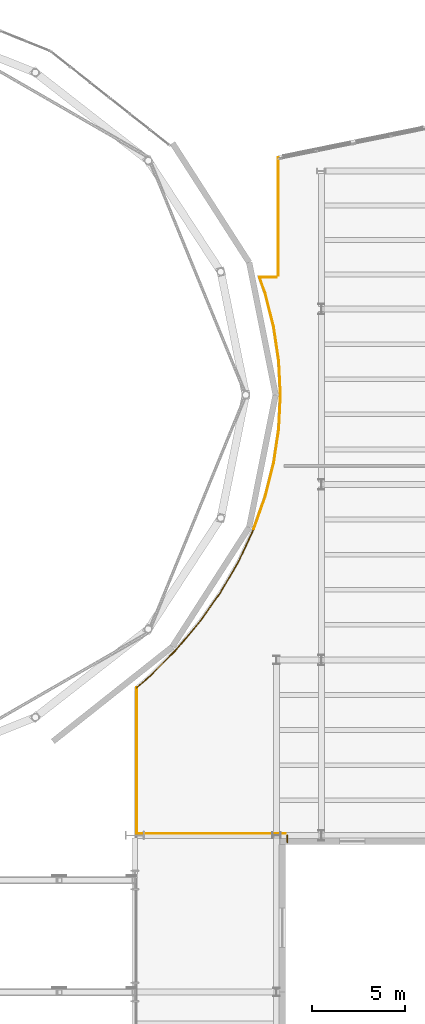
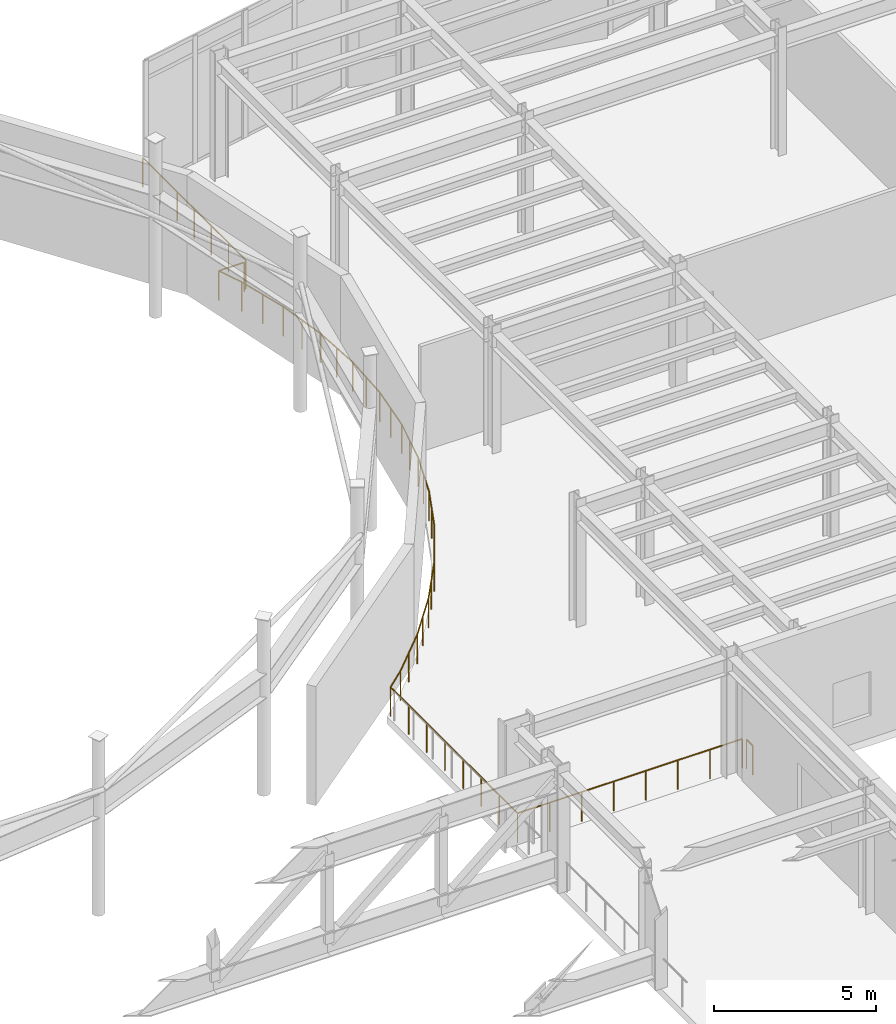
# One storey, part 89 of 91: 19 railings.
"""IFC4 building model written with IfcOpenShell, lengths in metres."""

from ifc_helpers import new_model, si_unit, direction, frame, origin, origin_2d, place, context, subcontext, project, spatial, circle, extrude, material, type_object, element, save


model = new_model("IFC4")

# Units and contexts
model_context = context("Model", 3, precision=1e-05, world=origin(), true_north=direction((0.0, 1.0)))
body_context = subcontext(model_context, "Body", "Model", "MODEL_VIEW")
ifc_project = project(units=[si_unit("LENGTHUNIT", "METRE"), si_unit("AREAUNIT", "SQUARE_METRE"), si_unit("VOLUMEUNIT", "CUBIC_METRE"), si_unit("PLANEANGLEUNIT", "RADIAN"), si_unit("MASSUNIT", "GRAM", prefix="KILO")], contexts=[model_context])

# Site, building, storey
site_placement = place(None, origin())
site = spatial("IfcSite", under=ifc_project, at=site_placement, CompositionType="ELEMENT")
building_placement = place(site_placement, origin())
building = spatial("IfcBuilding", under=site, at=building_placement, Name="Sollismere Congress Hotel", CompositionType="ELEMENT")
storey_placement = place(building_placement, frame((0.0, 0.0, 10.800048828125)))
storey = spatial("IfcBuildingStorey", under=building, at=storey_placement, Name="L02", CompositionType="ELEMENT", Elevation=10.800048828125)

# Railings
ifc_material = material(Name="Steel ASTM A500 Grade C", Category="steel")
railing_type = type_object("IfcRailingType", Name="RL-GRD112", PredefinedType="GUARDRAIL", material=ifc_material)
railing_1_placement = place(storey_placement, frame((58.580078125, 66.419921875, 0.0)))
element("IfcRailing", 1, at=railing_1_placement, inside=storey, type_object=railing_type, Name="RLG-GDA-L02-061", PredefinedType="GUARDRAIL", context=body_context, shape_type="SweptSolid", body=[
    extrude(circle(Radius=0.02392578125, at=origin_2d()), frame((0.0, 0.0, 1.09619140625), z_axis=(0.0, 1.0, 0.0), x_axis=(-1.0, 0.0, 0.0)), (0.0, 0.0, 1.0), 0.380126953125),
    extrude(circle(Radius=0.02099609375, at=origin_2d()), origin(), (0.0, 0.0, 1.0), 1.072021484375),
    extrude(circle(Radius=0.02099609375, at=origin_2d()), frame((0.0, 0.380126953125, 0.0)), (0.0, 0.0, 1.0), 1.072021484375),
])
railing_2_placement = place(storey_placement, frame((58.47998046875, 66.89990234375, 0.0)))
element("IfcRailing", 2, at=railing_2_placement, inside=storey, type_object=railing_type, Name="RLG-GDA-L02-062", PredefinedType="GUARDRAIL", context=body_context, shape_type="SweptSolid", body=[
    extrude(circle(Radius=0.02392578125, at=origin_2d()), frame((0.0, 0.0, 1.09619140625), z_axis=(-1.0, 0.0, 0.0), x_axis=(0.0, -1.0, 0.0)), (0.0, 0.0, 1.0), 7.97998046875),
    extrude(circle(Radius=0.02099609375, at=origin_2d()), origin(), (0.0, 0.0, 1.0), 1.072021484375),
    extrude(circle(Radius=0.02099609375, at=origin_2d()), frame((-1.139892578125, 0.0, 0.0)), (0.0, 0.0, 1.0), 1.072021484375),
    extrude(circle(Radius=0.02099609375, at=origin_2d()), frame((-2.280029296875, 0.0, 0.0)), (0.0, 0.0, 1.0), 1.072021484375),
    extrude(circle(Radius=0.02099609375, at=origin_2d()), frame((-3.419921875, 0.0, 0.0)), (0.0, 0.0, 1.0), 1.072021484375),
    extrude(circle(Radius=0.02099609375, at=origin_2d()), frame((-4.56005859375, 0.0, 0.0)), (0.0, 0.0, 1.0), 1.072021484375),
    extrude(circle(Radius=0.02099609375, at=origin_2d()), frame((-5.699951171875, 0.0, 0.0)), (0.0, 0.0, 1.0), 1.072021484375),
    extrude(circle(Radius=0.02099609375, at=origin_2d()), frame((-6.840087890625, 0.0, 0.0)), (0.0, 0.0, 1.0), 1.072021484375),
    extrude(circle(Radius=0.02099609375, at=origin_2d()), frame((-7.97998046875, 0.0, 0.0)), (0.0, 0.0, 1.0), 1.072021484375),
])
railing_3_placement = place(storey_placement, frame((50.5, 66.89990234375, 0.0)))
element("IfcRailing", 3, at=railing_3_placement, inside=storey, type_object=railing_type, Name="RLG-GDA-L02-063", PredefinedType="GUARDRAIL", context=body_context, shape_type="SweptSolid", body=[
    extrude(circle(Radius=0.02392578125, at=origin_2d()), frame((0.0, 0.0, 1.09619140625), z_axis=(0.0, 1.0, 0.0), x_axis=(-1.0, 0.0, 0.0)), (0.0, 0.0, 1.0), 7.813720703125),
    extrude(circle(Radius=0.02099609375, at=origin_2d()), origin(), (0.0, 0.0, 1.0), 1.072021484375),
    extrude(circle(Radius=0.02099609375, at=origin_2d()), frame((0.0, 1.1162109375, 0.0)), (0.0, 0.0, 1.0), 1.072021484375),
    extrude(circle(Radius=0.02099609375, at=origin_2d()), frame((0.0, 2.232421875, 0.0)), (0.0, 0.0, 1.0), 1.072021484375),
    extrude(circle(Radius=0.02099609375, at=origin_2d()), frame((0.0, 3.3486328125, 0.0)), (0.0, 0.0, 1.0), 1.072021484375),
    extrude(circle(Radius=0.02099609375, at=origin_2d()), frame((0.0, 4.465087890625, 0.0)), (0.0, 0.0, 1.0), 1.072021484375),
    extrude(circle(Radius=0.02099609375, at=origin_2d()), frame((0.0, 5.581298828125, 0.0)), (0.0, 0.0, 1.0), 1.072021484375),
    extrude(circle(Radius=0.02099609375, at=origin_2d()), frame((0.0, 6.697509765625, 0.0)), (0.0, 0.0, 1.0), 1.072021484375),
    extrude(circle(Radius=0.02099609375, at=origin_2d()), frame((0.0, 7.813720703125, 0.0)), (0.0, 0.0, 1.0), 1.072021484375),
])
railing_4_placement = place(storey_placement, frame((50.5, 74.713623046875, 0.0)))
element("IfcRailing", 4, at=railing_4_placement, inside=storey, type_object=railing_type, Name="RLG-GDA-L02-064", PredefinedType="GUARDRAIL", context=body_context, shape_type="SweptSolid", body=[
    extrude(circle(Radius=0.02392578125, at=origin_2d()), frame((0.0, 0.0, 1.09619140625), z_axis=(0.758564658066, 0.651597774346, 0.0), x_axis=(-0.651597774346, 0.758564658066, 0.0)), (0.0, 0.0, 1.0), 0.922119140625),
    extrude(circle(Radius=0.02099609375, at=origin_2d()), origin(), (0.0, 0.0, 1.0), 1.072021484375),
    extrude(circle(Radius=0.02099609375, at=origin_2d()), frame((0.699462890625, 0.600830078125, 0.0)), (0.0, 0.0, 1.0), 1.072021484375),
])
railing_5_placement = place(storey_placement, frame((51.205810546875, 75.3203125, 0.0)))
element("IfcRailing", 5, at=railing_5_placement, inside=storey, type_object=railing_type, Name="RLG-GDA-L02-065", PredefinedType="GUARDRAIL", context=body_context, shape_type="SweptSolid", body=[
    extrude(circle(Radius=0.02392578125, at=origin_2d()), frame((0.0, 0.0, 1.09619140625), z_axis=(0.704670184005, 0.709535010957, 0.0), x_axis=(-0.709535010957, 0.704670184005, 0.0)), (0.0, 0.0, 1.0), 2.00732421875),
    extrude(circle(Radius=0.02099609375, at=origin_2d()), origin(), (0.0, 0.0, 1.0), 1.072021484375),
    extrude(circle(Radius=0.02099609375, at=origin_2d()), frame((0.707275390625, 0.712158203125, 0.0)), (0.0, 0.0, 1.0), 1.072021484375),
    extrude(circle(Radius=0.02099609375, at=origin_2d()), frame((1.41455078125, 1.42431640625, 0.0)), (0.0, 0.0, 1.0), 1.072021484375),
])
railing_6_placement = place(storey_placement, frame((52.626708984375, 76.75146484375, 0.0)))
element("IfcRailing", 6, at=railing_6_placement, inside=storey, type_object=railing_type, Name="RLG-GDA-L02-066", PredefinedType="GUARDRAIL", context=body_context, shape_type="SweptSolid", body=[
    extrude(circle(Radius=0.02392578125, at=origin_2d()), frame((0.0, 0.0, 1.09619140625), z_axis=(0.643941204618, 0.765074979982, 0.0), x_axis=(-0.765074979982, 0.643941204618, 0.0)), (0.0, 0.0, 1.0), 1.97119140625),
    extrude(circle(Radius=0.02099609375, at=origin_2d()), origin(), (0.0, 0.0, 1.0), 1.072021484375),
    extrude(circle(Radius=0.02099609375, at=origin_2d()), frame((0.634765625, 0.75390625, 0.0)), (0.0, 0.0, 1.0), 1.072021484375),
    extrude(circle(Radius=0.02099609375, at=origin_2d()), frame((1.269287109375, 1.508056640625, 0.0)), (0.0, 0.0, 1.0), 1.072021484375),
])
railing_7_placement = place(storey_placement, frame((53.901611328125, 78.266845703125, 0.0)))
element("IfcRailing", 7, at=railing_7_placement, inside=storey, type_object=railing_type, Name="RLG-GDA-L02-067", PredefinedType="GUARDRAIL", context=body_context, shape_type="SweptSolid", body=[
    extrude(circle(Radius=0.02392578125, at=origin_2d()), frame((0.0, 0.0, 1.09619140625), z_axis=(0.576554520063, 0.817058679285, 0.0), x_axis=(-0.817058679285, 0.576554520063, 0.0)), (0.0, 0.0, 1.0), 1.936767578125),
    extrude(circle(Radius=0.02099609375, at=origin_2d()), origin(), (0.0, 0.0, 1.0), 1.072021484375),
    extrude(circle(Radius=0.02099609375, at=origin_2d()), frame((0.558349609375, 0.791259765625, 0.0)), (0.0, 0.0, 1.0), 1.072021484375),
    extrude(circle(Radius=0.02099609375, at=origin_2d()), frame((1.11669921875, 1.58251953125, 0.0)), (0.0, 0.0, 1.0), 1.072021484375),
])
railing_8_placement = place(storey_placement, frame((55.0234375, 79.857666015625, 0.0)))
element("IfcRailing", 8, at=railing_8_placement, inside=storey, type_object=railing_type, Name="RLG-GDA-L02-068", PredefinedType="GUARDRAIL", context=body_context, shape_type="SweptSolid", body=[
    extrude(circle(Radius=0.02392578125, at=origin_2d()), frame((0.0, 0.0, 1.09619140625), z_axis=(0.502172621581, 0.864767401175, 0.0), x_axis=(-0.864767401175, 0.502172621581, 0.0)), (0.0, 0.0, 1.0), 1.90478515625),
    extrude(circle(Radius=0.02099609375, at=origin_2d()), origin(), (0.0, 0.0, 1.0), 1.072021484375),
    extrude(circle(Radius=0.02099609375, at=origin_2d()), frame((0.478271484375, 0.82373046875, 0.0)), (0.0, 0.0, 1.0), 1.072021484375),
    extrude(circle(Radius=0.02099609375, at=origin_2d()), frame((0.95654296875, 1.647216796875, 0.0)), (0.0, 0.0, 1.0), 1.072021484375),
])
railing_9_placement = place(storey_placement, frame((55.984619140625, 81.513671875, 0.0)))
element("IfcRailing", 9, at=railing_9_placement, inside=storey, type_object=railing_type, Name="RLG-GDA-L02-069", PredefinedType="GUARDRAIL", context=body_context, shape_type="SweptSolid", body=[
    extrude(circle(Radius=0.02392578125, at=origin_2d()), frame((0.0, 0.0, 1.09619140625), z_axis=(0.421424745592, 0.906863376591, 0.0), x_axis=(-0.906863376591, 0.421424745592, 0.0)), (0.0, 0.0, 1.0), 1.87646484375),
    extrude(circle(Radius=0.02099609375, at=origin_2d()), origin(), (0.0, 0.0, 1.0), 1.072021484375),
    extrude(circle(Radius=0.02099609375, at=origin_2d()), frame((0.3955078125, 0.850830078125, 0.0)), (0.0, 0.0, 1.0), 1.072021484375),
    extrude(circle(Radius=0.02099609375, at=origin_2d()), frame((0.790771484375, 1.70166015625, 0.0)), (0.0, 0.0, 1.0), 1.072021484375),
])
railing_10_placement = place(storey_placement, frame((56.779296875, 83.224853515625, 0.0)))
element("IfcRailing", 10, at=railing_10_placement, inside=storey, type_object=railing_type, Name="RLG-GDA-L02-070", PredefinedType="GUARDRAIL", context=body_context, shape_type="SweptSolid", body=[
    extrude(circle(Radius=0.02392578125, at=origin_2d()), frame((0.0, 0.0, 1.09619140625), z_axis=(0.334825092164, 0.942280296758, 0.0), x_axis=(-0.942280296758, 0.334825092164, 0.0)), (0.0, 0.0, 1.0), 1.852783203125),
    extrude(circle(Radius=0.02099609375, at=origin_2d()), origin(), (0.0, 0.0, 1.0), 1.072021484375),
    extrude(circle(Radius=0.02099609375, at=origin_2d()), frame((0.31005859375, 0.873046875, 0.0)), (0.0, 0.0, 1.0), 1.072021484375),
    extrude(circle(Radius=0.02099609375, at=origin_2d()), frame((0.620361328125, 1.745849609375, 0.0)), (0.0, 0.0, 1.0), 1.072021484375),
])
railing_11_placement = place(storey_placement, frame((57.402587890625, 84.980712890625, 0.0)))
element("IfcRailing", 11, at=railing_11_placement, inside=storey, type_object=railing_type, Name="RLG-GDA-L02-071", PredefinedType="GUARDRAIL", context=body_context, shape_type="SweptSolid", body=[
    extrude(circle(Radius=0.02392578125, at=origin_2d()), frame((0.0, 0.0, 1.09619140625), z_axis=(0.243068048635, 0.970009238994, 0.0), x_axis=(-0.970009238994, 0.243068048635, 0.0)), (0.0, 0.0, 1.0), 1.833984375),
    extrude(circle(Radius=0.02099609375, at=origin_2d()), origin(), (0.0, 0.0, 1.0), 1.072021484375),
    extrude(circle(Radius=0.02099609375, at=origin_2d()), frame((0.222900390625, 0.8896484375, 0.0)), (0.0, 0.0, 1.0), 1.072021484375),
    extrude(circle(Radius=0.02099609375, at=origin_2d()), frame((0.44580078125, 1.779052734375, 0.0)), (0.0, 0.0, 1.0), 1.072021484375),
])
railing_12_placement = place(storey_placement, frame((57.8505859375, 86.770263671875, 0.0)))
element("IfcRailing", 12, at=railing_12_placement, inside=storey, type_object=railing_type, Name="RLG-GDA-L02-072", PredefinedType="GUARDRAIL", context=body_context, shape_type="SweptSolid", body=[
    extrude(circle(Radius=0.02392578125, at=origin_2d()), frame((0.0, 0.0, 1.09619140625), z_axis=(0.147481535855, 0.989064809091, 0.0), x_axis=(-0.989064809091, 0.147481535855, 0.0)), (0.0, 0.0, 1.0), 1.821044921875),
    extrude(circle(Radius=0.02099609375, at=origin_2d()), origin(), (0.0, 0.0, 1.0), 1.072021484375),
    extrude(circle(Radius=0.02099609375, at=origin_2d()), frame((0.13427734375, 0.900390625, 0.0)), (0.0, 0.0, 1.0), 1.072021484375),
    extrude(circle(Radius=0.02099609375, at=origin_2d()), frame((0.2685546875, 1.801025390625, 0.0)), (0.0, 0.0, 1.0), 1.072021484375),
])
railing_13_placement = place(storey_placement, frame((58.1201171875, 88.582275390625, 0.0)))
element("IfcRailing", 13, at=railing_13_placement, inside=storey, type_object=railing_type, Name="RLG-GDA-L02-073", PredefinedType="GUARDRAIL", context=body_context, shape_type="SweptSolid", body=[
    extrude(circle(Radius=0.02392578125, at=origin_2d()), frame((0.0, 0.0, 1.09619140625), z_axis=(0.04951483321, 0.998773388358, 0.0), x_axis=(-0.998773388358, 0.04951483321, 0.0)), (0.0, 0.0, 1.0), 1.814453125),
    extrude(circle(Radius=0.02099609375, at=origin_2d()), origin(), (0.0, 0.0, 1.0), 1.072021484375),
    extrude(circle(Radius=0.02099609375, at=origin_2d()), frame((0.044921875, 0.90625, 0.0)), (0.0, 0.0, 1.0), 1.072021484375),
    extrude(circle(Radius=0.02099609375, at=origin_2d()), frame((0.08984375, 1.812255859375, 0.0)), (0.0, 0.0, 1.0), 1.072021484375),
])
railing_14_placement = place(storey_placement, frame((58.2099609375, 90.405517578125, 0.0)))
element("IfcRailing", 14, at=railing_14_placement, inside=storey, type_object=railing_type, Name="RLG-GDA-L02-074", PredefinedType="GUARDRAIL", context=body_context, shape_type="SweptSolid", body=[
    extrude(circle(Radius=0.02392578125, at=origin_2d()), frame((0.0, 0.0, 1.09619140625), z_axis=(-0.04951483321, 0.998773388358, 0.0), x_axis=(-0.998773388358, -0.04951483321, 0.0)), (0.0, 0.0, 1.0), 1.814453125),
    extrude(circle(Radius=0.02099609375, at=origin_2d()), origin(), (0.0, 0.0, 1.0), 1.072021484375),
    extrude(circle(Radius=0.02099609375, at=origin_2d()), frame((-0.044921875, 0.90625, 0.0)), (0.0, 0.0, 1.0), 1.072021484375),
    extrude(circle(Radius=0.02099609375, at=origin_2d()), frame((-0.08984375, 1.812255859375, 0.0)), (0.0, 0.0, 1.0), 1.072021484375),
])
railing_15_placement = place(storey_placement, frame((58.119140625, 92.228515625, 0.0)))
element("IfcRailing", 15, at=railing_15_placement, inside=storey, type_object=railing_type, Name="RLG-GDA-L02-075", PredefinedType="GUARDRAIL", context=body_context, shape_type="SweptSolid", body=[
    extrude(circle(Radius=0.02392578125, at=origin_2d()), frame((0.0, 0.0, 1.09619140625), z_axis=(-0.147461981188, 0.989067724731, 0.0), x_axis=(-0.989067724731, -0.147461981188, 0.0)), (0.0, 0.0, 1.0), 1.8212890625),
    extrude(circle(Radius=0.02099609375, at=origin_2d()), origin(), (0.0, 0.0, 1.0), 1.072021484375),
    extrude(circle(Radius=0.02099609375, at=origin_2d()), frame((-0.13427734375, 0.900634765625, 0.0)), (0.0, 0.0, 1.0), 1.072021484375),
    extrude(circle(Radius=0.02099609375, at=origin_2d()), frame((-0.2685546875, 1.80126953125, 0.0)), (0.0, 0.0, 1.0), 1.072021484375),
])
railing_16_placement = place(storey_placement, frame((57.848388671875, 94.040283203125, 0.0)))
element("IfcRailing", 16, at=railing_16_placement, inside=storey, type_object=railing_type, Name="RLG-GDA-L02-076", PredefinedType="GUARDRAIL", context=body_context, shape_type="SweptSolid", body=[
    extrude(circle(Radius=0.02392578125, at=origin_2d()), frame((0.0, 0.0, 1.09619140625), z_axis=(-0.243068048635, 0.970009238994, 0.0), x_axis=(-0.970009238994, -0.243068048635, 0.0)), (0.0, 0.0, 1.0), 1.833984375),
    extrude(circle(Radius=0.02099609375, at=origin_2d()), origin(), (0.0, 0.0, 1.0), 1.072021484375),
    extrude(circle(Radius=0.02099609375, at=origin_2d()), frame((-0.222900390625, 0.8896484375, 0.0)), (0.0, 0.0, 1.0), 1.072021484375),
    extrude(circle(Radius=0.02099609375, at=origin_2d()), frame((-0.44580078125, 1.779052734375, 0.0)), (0.0, 0.0, 1.0), 1.072021484375),
])
railing_17_placement = place(storey_placement, frame((57.399658203125, 95.829345703125, 0.0)))
element("IfcRailing", 17, at=railing_17_placement, inside=storey, type_object=railing_type, Name="RLG-GDA-L02-077", PredefinedType="GUARDRAIL", context=body_context, shape_type="SweptSolid", body=[
    extrude(circle(Radius=0.02392578125, at=origin_2d()), frame((0.0, 0.0, 1.09619140625), z_axis=(-0.334795924534, 0.942290660527, 0.0), x_axis=(-0.942290660527, -0.334795924534, 0.0)), (0.0, 0.0, 1.0), 0.923828125),
    extrude(circle(Radius=0.02099609375, at=origin_2d()), origin(), (0.0, 0.0, 1.0), 1.072021484375),
    extrude(circle(Radius=0.02099609375, at=origin_2d()), frame((-0.309326171875, 0.87060546875, 0.0)), (0.0, 0.0, 1.0), 1.072021484375),
])
railing_18_placement = place(storey_placement, frame((57.09033203125, 96.699951171875, 0.0)))
element("IfcRailing", 18, at=railing_18_placement, inside=storey, type_object=railing_type, Name="RLG-GDA-L02-078", PredefinedType="GUARDRAIL", context=body_context, shape_type="SweptSolid", body=[
    extrude(circle(Radius=0.02392578125, at=origin_2d()), frame((0.0, 0.0, 1.09619140625), z_axis=(1.0, 0.0, 0.0), x_axis=(0.0, 1.0, 0.0)), (0.0, 0.0, 1.0), 0.90966796875),
    extrude(circle(Radius=0.02099609375, at=origin_2d()), origin(), (0.0, 0.0, 1.0), 1.072021484375),
    extrude(circle(Radius=0.02099609375, at=origin_2d()), frame((0.90966796875, 0.0, 0.0)), (0.0, 0.0, 1.0), 1.072021484375),
])
railing_19_placement = place(storey_placement, frame((58.10009765625, 96.800048828125, 0.0)))
element("IfcRailing", 19, at=railing_19_placement, inside=storey, type_object=railing_type, Name="RLG-GDA-L02-079", PredefinedType="GUARDRAIL", context=body_context, shape_type="SweptSolid", body=[
    extrude(circle(Radius=0.02392578125, at=origin_2d()), frame((0.0, 0.0, 1.09619140625), z_axis=(0.0, 1.0, 0.0), x_axis=(-1.0, 0.0, 0.0)), (0.0, 0.0, 1.0), 6.318359375),
    extrude(circle(Radius=0.02099609375, at=origin_2d()), origin(), (0.0, 0.0, 1.0), 1.072021484375),
    extrude(circle(Radius=0.02099609375, at=origin_2d()), frame((0.0, 1.052978515625, 0.0)), (0.0, 0.0, 1.0), 1.072021484375),
    extrude(circle(Radius=0.02099609375, at=origin_2d()), frame((0.0, 2.106201171875, 0.0)), (0.0, 0.0, 1.0), 1.072021484375),
    extrude(circle(Radius=0.02099609375, at=origin_2d()), frame((0.0, 3.1591796875, 0.0)), (0.0, 0.0, 1.0), 1.072021484375),
    extrude(circle(Radius=0.02099609375, at=origin_2d()), frame((0.0, 4.212158203125, 0.0)), (0.0, 0.0, 1.0), 1.072021484375),
    extrude(circle(Radius=0.02099609375, at=origin_2d()), frame((0.0, 5.265380859375, 0.0)), (0.0, 0.0, 1.0), 1.072021484375),
    extrude(circle(Radius=0.02099609375, at=origin_2d()), frame((0.0, 6.318359375, 0.0)), (0.0, 0.0, 1.0), 1.072021484375),
])

save(model, "model.ifc")
